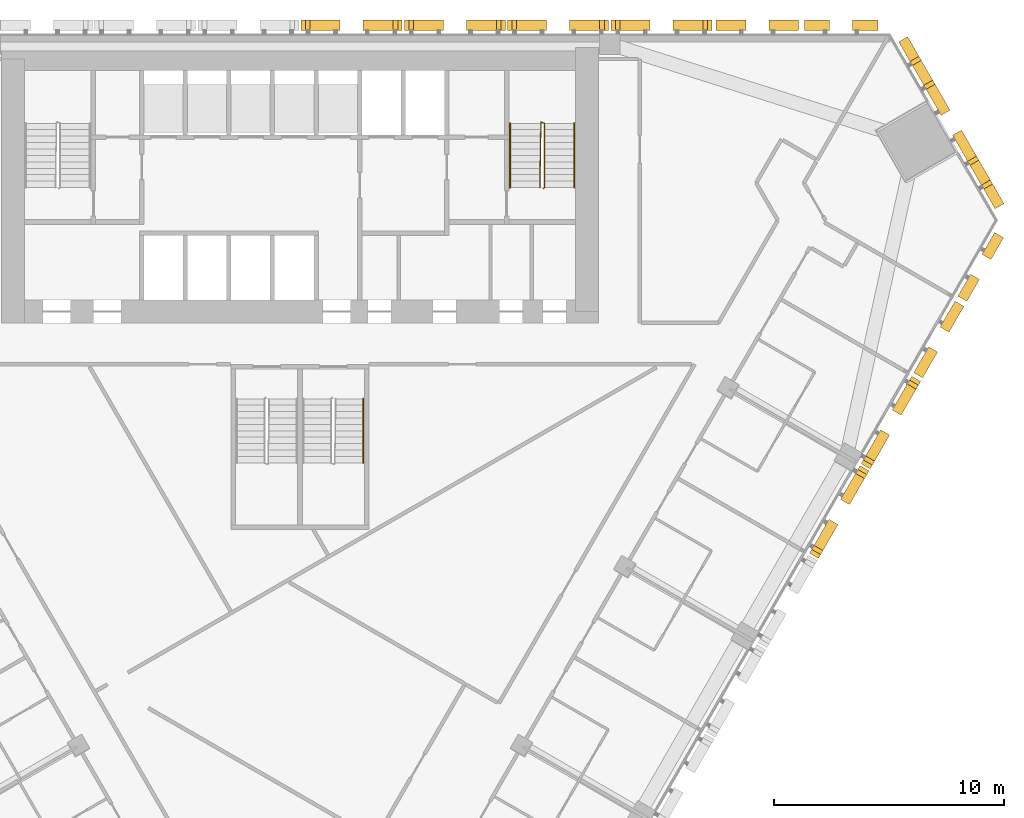
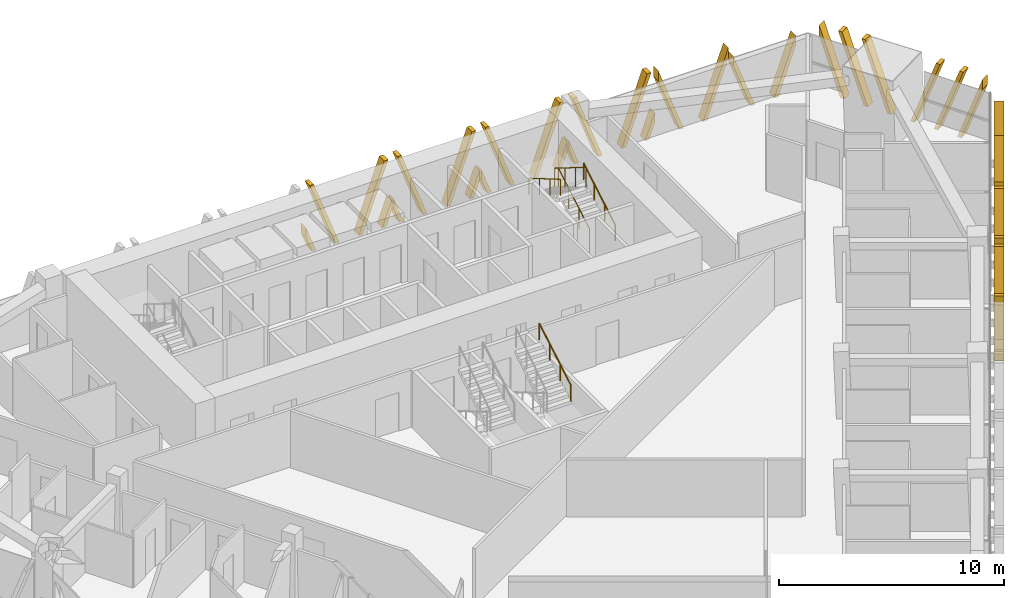
# One storey, part 16 of 17: 11 shading devices, 4 railings.
"""IFC4 building model written with IfcOpenShell, lengths in metres."""

from ifc_helpers import new_model, si_unit, direction, frame, origin, origin_2d, place, context, subcontext, project, spatial, polyline, circle, outline, extrude, source, transform, mapped, material, type_object, element, save


model = new_model("IFC4")

# Units and contexts
model_context = context("Model", 3, precision=1e-05, world=origin(), true_north=direction((0.0, 1.0)))
body_context = subcontext(model_context, "Body", "Model", "MODEL_VIEW")
ifc_project = project(units=[si_unit("LENGTHUNIT", "METRE"), si_unit("AREAUNIT", "SQUARE_METRE"), si_unit("VOLUMEUNIT", "CUBIC_METRE"), si_unit("PLANEANGLEUNIT", "RADIAN"), si_unit("MASSUNIT", "GRAM", prefix="KILO")], contexts=[model_context])

# Site, building, storey
site_placement = place(None, origin())
site = spatial("IfcSite", under=ifc_project, at=site_placement, CompositionType="ELEMENT")
building_placement = place(site_placement, origin())
building = spatial("IfcBuilding", under=site, at=building_placement, Name="Altiplano Prism Tower", CompositionType="ELEMENT")
storey_placement = place(building_placement, frame((0.0, 0.0, 55.800048828125)))
storey = spatial("IfcBuildingStorey", under=building, at=storey_placement, Name="L13", CompositionType="ELEMENT", Elevation=55.800048828125)

# Railings
ifc_material_1 = material(Name="Steel S355", Category="steel")
railing_type_1 = type_object("IfcRailingType", Name="Stair guard 1100", PredefinedType="GUARDRAIL", material=ifc_material_1)
railing_1_placement = place(storey_placement, frame((95.60009765625, 98.25, 0.0)))
element("IfcRailing", 1, at=railing_1_placement, inside=storey, type_object=railing_type_1, Name="L13 ST2 stair guard 1", PredefinedType="GUARDRAIL", context=body_context, shape_type="SweptSolid", body=[
    extrude(circle(Radius=0.02392578125, at=origin_2d()), frame((0.0, 0.0, 1.076171875), z_axis=(0.279546231943, 0.280916556609, 0.91811752648), x_axis=(-0.708833529934, 0.705375805398, 0.0)), (0.0, 0.0, 1.0), 0.17822265625),
    extrude(circle(Radius=0.02392578125, at=origin_2d()), frame((0.0498046875, 0.050048828125, 1.23974609375), z_axis=(0.0, 0.863360870873, 0.504586966384), x_axis=(-1.0, 0.0, 0.0)), (0.0, 0.0, 1.0), 3.2431640625),
    extrude(circle(Radius=0.02392578125, at=origin_2d()), frame((0.0498046875, 2.85009765625, 2.8759765625), z_axis=(-0.948991962702, 0.315300261223, 0.0), x_axis=(-0.315300261223, -0.948991962702, 0.0)), (0.0, 0.0, 1.0), 0.157958984375),
    extrude(circle(Radius=0.02392578125, at=origin_2d()), frame((-0.10009765625, 2.89990234375, 2.8759765625), z_axis=(-0.014846992469, -0.845409478506, 0.533912334065), x_axis=(0.999845825584, -0.017559187376, 0.0)), (0.0, 0.0, 1.0), 3.37109375),
    extrude(circle(Radius=0.02099609375, at=origin_2d()), origin(), (0.0, 0.0, 1.0), 1.052001953125),
    extrude(circle(Radius=0.02099609375, at=origin_2d()), frame((0.0498046875, 0.050048828125, 0.16357421875)), (0.0, 0.0, 1.0), 1.052001953125),
    extrude(circle(Radius=0.02099609375, at=origin_2d()), frame((0.0498046875, 0.9833984375, 0.708984375)), (0.0, 0.0, 1.0), 1.052001953125),
    extrude(circle(Radius=0.02099609375, at=origin_2d()), frame((0.0498046875, 1.916748046875, 1.254638671875)), (0.0, 0.0, 1.0), 1.052001953125),
    extrude(circle(Radius=0.02099609375, at=origin_2d()), frame((0.0498046875, 2.85009765625, 1.800048828125)), (0.0, 0.0, 1.0), 1.052001953125),
    extrude(circle(Radius=0.02099609375, at=origin_2d()), frame((-0.10009765625, 2.89990234375, 1.800048828125)), (0.0, 0.0, 1.0), 1.052001953125),
    extrude(circle(Radius=0.02099609375, at=origin_2d()), frame((-0.11669921875, 1.949951171875, 2.39990234375)), (0.0, 0.0, 1.0), 1.052001953125),
    extrude(circle(Radius=0.02099609375, at=origin_2d()), frame((-0.133544921875, 1.0, 3.0)), (0.0, 0.0, 1.0), 1.052001953125),
    extrude(circle(Radius=0.02099609375, at=origin_2d()), frame((-0.150146484375, 0.050048828125, 3.599853515625)), (0.0, 0.0, 1.0), 1.052001953125),
])
railing_type_2 = type_object("IfcRailingType", Name="Stair handrail 900", PredefinedType="HANDRAIL", material=ifc_material_1)
railing_2_placement = place(storey_placement, frame((96.949951171875, 98.300048828125, 0.16357421875)))
element("IfcRailing", 2, at=railing_2_placement, inside=storey, type_object=railing_type_2, Name="L13 ST2 stair handrail 1", PredefinedType="HANDRAIL", context=body_context, shape_type="SweptSolid", body=[
    extrude(circle(Radius=0.02392578125, at=origin_2d()), frame((0.0, 0.0, 0.8759765625), z_axis=(0.0, 0.863360870873, 0.504586966384), x_axis=(-1.0, 0.0, 0.0)), (0.0, 0.0, 1.0), 3.2431640625),
    extrude(circle(Radius=0.02099609375, at=origin_2d()), origin(), (0.0, 0.0, 1.0), 0.851806640625),
    extrude(circle(Radius=0.02099609375, at=origin_2d()), frame((0.0, 0.933349609375, 0.54541015625)), (0.0, 0.0, 1.0), 0.851806640625),
    extrude(circle(Radius=0.02099609375, at=origin_2d()), frame((0.0, 1.86669921875, 1.091064453125)), (0.0, 0.0, 1.0), 0.851806640625),
    extrude(circle(Radius=0.02099609375, at=origin_2d()), frame((0.0, 2.800048828125, 1.636474609375)), (0.0, 0.0, 1.0), 0.851806640625),
])
railing_3_placement = place(storey_placement, frame((94.14990234375, 101.10009765625, 1.963623046875)))
element("IfcRailing", 3, at=railing_3_placement, inside=storey, type_object=railing_type_2, Name="L13 ST2 stair handrail 2", PredefinedType="HANDRAIL", context=body_context, shape_type="SweptSolid", body=[
    extrude(circle(Radius=0.02392578125, at=origin_2d()), frame((0.0, 0.0, 0.8759765625), z_axis=(0.0, -0.863393664356, 0.504530851732), x_axis=(1.0, 0.0, 0.0)), (0.0, 0.0, 1.0), 3.2431640625),
    extrude(circle(Radius=0.02099609375, at=origin_2d()), origin(), (0.0, 0.0, 1.0), 0.851806640625),
    extrude(circle(Radius=0.02099609375, at=origin_2d()), frame((0.0, -0.933349609375, 0.54541015625)), (0.0, 0.0, 1.0), 0.851806640625),
    extrude(circle(Radius=0.02099609375, at=origin_2d()), frame((0.0, -1.86669921875, 1.0908203125)), (0.0, 0.0, 1.0), 0.851806640625),
    extrude(circle(Radius=0.02099609375, at=origin_2d()), frame((0.0, -2.800048828125, 1.63623046875)), (0.0, 0.0, 1.0), 0.851806640625),
])
railing_4_placement = place(storey_placement, frame((87.75, 86.300048828125, 1.963623046875)))
element("IfcRailing", 4, at=railing_4_placement, inside=storey, type_object=railing_type_2, Name="L13 ST3B stair handrail 2", PredefinedType="HANDRAIL", context=body_context, shape_type="SweptSolid", body=[
    extrude(circle(Radius=0.02392578125, at=origin_2d()), frame((0.0, 0.0, 0.8759765625), z_axis=(0.0, 0.863393664356, 0.504530851732), x_axis=(-1.0, 0.0, 0.0)), (0.0, 0.0, 1.0), 3.2431640625),
    extrude(circle(Radius=0.02099609375, at=origin_2d()), origin(), (0.0, 0.0, 1.0), 0.851806640625),
    extrude(circle(Radius=0.02099609375, at=origin_2d()), frame((0.0, 0.933349609375, 0.54541015625)), (0.0, 0.0, 1.0), 0.851806640625),
    extrude(circle(Radius=0.02099609375, at=origin_2d()), frame((0.0, 1.86669921875, 1.0908203125)), (0.0, 0.0, 1.0), 0.851806640625),
    extrude(circle(Radius=0.02099609375, at=origin_2d()), frame((0.0, 2.800048828125, 1.63623046875)), (0.0, 0.0, 1.0), 0.851806640625),
])

# Shading devices
ifc_material_2 = material(Name="Warm limestone cast stone", Category="masonry")
shading_device_type_1 = type_object("IfcShadingDeviceType", Name="Stone fin panel, narrow closing bay", PredefinedType="USERDEFINED", material=ifc_material_2)
shared_shape_1 = source(origin(), body_context, "Body", "SweptSolid", [
    extrude(outline(polyline([(-1.60009765625, 3.022216796875), (-1.60009765625, 2.47265625), (-0.699951171875, 0.0), (-0.5, 0.0), (-1.60009765625, 3.022216796875)])), frame((0.0, -0.14990234375, 0.0), z_axis=(0.0, -1.0, 0.0), x_axis=(1.0, 0.0, 0.0)), (0.0, 0.0, 1.0), 0.4501953125),
    extrude(outline(polyline([(1.60009765625, 2.47265625), (1.60009765625, 3.022216796875), (0.5, 0.0), (0.699951171875, 0.0), (1.60009765625, 2.47265625)])), frame((0.0, -0.14990234375, 0.0), z_axis=(0.0, -1.0, 0.0), x_axis=(1.0, 0.0, 0.0)), (0.0, 0.0, 1.0), 0.4501953125),
])
shading_device_1_placement = place(storey_placement, origin())
element("IfcShadingDevice", 5, at=shading_device_1_placement, inside=storey, type_object=shading_device_type_1, Name="Fin L13 north face 1", ObjectType="FIN", PredefinedType="USERDEFINED", context=body_context, shape_type="MappedRepresentation", body=[
    mapped(shared_shape_1, transform((108.581787109375, 105.0, -0.5), x_axis=(-1.0, 0.0, 0.0), y_axis=(0.0, -1.0, 0.0), z_axis=(0.0, 0.0, 1.0))),
])
shading_device_2_placement = place(storey_placement, origin())
element("IfcShadingDevice", 6, at=shading_device_2_placement, inside=storey, type_object=shading_device_type_1, Name="Fin L13 south-east face 12", ObjectType="FIN", PredefinedType="USERDEFINED", context=body_context, shape_type="MappedRepresentation", body=[
    mapped(shared_shape_1, transform((114.33740234375, 95.03076171875, -0.5), x_axis=(0.499999992175, 0.866025408302, 0.0), y_axis=(-0.866025408302, 0.499999992175, 0.0), z_axis=(0.0, 0.0, 1.0))),
])
shading_device_type_2 = type_object("IfcShadingDeviceType", Name="Stone fin panel, standard unit", PredefinedType="USERDEFINED", material=ifc_material_2)
shared_shape_2 = source(origin(), body_context, "Body", "SweptSolid", [
    extrude(outline(polyline([(-2.199951171875, 1.373779296875), (-2.199951171875, 0.82421875), (-1.89990234375, 0.0), (-1.699951171875, 0.0), (-2.199951171875, 1.373779296875)])), frame((0.0, -0.14990234375, 0.0), z_axis=(0.0, -1.0, 0.0), x_axis=(1.0, 0.0, 0.0)), (0.0, 0.0, 1.0), 0.4501953125),
    extrude(outline(polyline([(-2.01025390625, 3.60009765625), (-0.699951171875, 0.0), (-0.5, 0.0), (-1.810302734375, 3.60009765625), (-2.01025390625, 3.60009765625)])), frame((0.0, -0.14990234375, 0.0), z_axis=(0.0, -1.0, 0.0), x_axis=(1.0, 0.0, 0.0)), (0.0, 0.0, 1.0), 0.4501953125),
    extrude(outline(polyline([(1.810302734375, 3.60009765625), (0.5, 0.0), (0.699951171875, 0.0), (2.01025390625, 3.60009765625), (1.810302734375, 3.60009765625)])), frame((0.0, -0.14990234375, 0.0), z_axis=(0.0, -1.0, 0.0), x_axis=(1.0, 0.0, 0.0)), (0.0, 0.0, 1.0), 0.4501953125),
    extrude(outline(polyline([(2.199951171875, 0.82421875), (2.199951171875, 1.373779296875), (1.699951171875, 0.0), (1.89990234375, 0.0), (2.199951171875, 0.82421875)])), frame((0.0, -0.14990234375, 0.0), z_axis=(0.0, -1.0, 0.0), x_axis=(1.0, 0.0, 0.0)), (0.0, 0.0, 1.0), 0.4501953125),
])
shading_device_3_placement = place(storey_placement, origin())
element("IfcShadingDevice", 7, at=shading_device_3_placement, inside=storey, type_object=shading_device_type_2, Name="Fin L13 north face 3", ObjectType="FIN", PredefinedType="USERDEFINED", context=body_context, shape_type="MappedRepresentation", body=[
    mapped(shared_shape_2, transform((100.75, 105.0, -0.5), x_axis=(-1.0, 0.0, 0.0), y_axis=(0.0, -1.0, 0.0), z_axis=(0.0, 0.0, 1.0))),
])
shading_device_4_placement = place(storey_placement, origin())
element("IfcShadingDevice", 8, at=shading_device_4_placement, inside=storey, type_object=shading_device_type_2, Name="Fin L13 north face 4", ObjectType="FIN", PredefinedType="USERDEFINED", context=body_context, shape_type="MappedRepresentation", body=[
    mapped(shared_shape_2, transform((96.25, 105.0, -0.5), x_axis=(-1.0, 0.0, 0.0), y_axis=(0.0, -1.0, 0.0), z_axis=(0.0, 0.0, 1.0))),
])
shading_device_5_placement = place(storey_placement, origin())
element("IfcShadingDevice", 9, at=shading_device_5_placement, inside=storey, type_object=shading_device_type_2, Name="Fin L13 north face 5", ObjectType="FIN", PredefinedType="USERDEFINED", context=body_context, shape_type="MappedRepresentation", body=[
    mapped(shared_shape_2, transform((91.75, 105.0, -0.5), x_axis=(-1.0, 0.0, 0.0), y_axis=(0.0, -1.0, 0.0), z_axis=(0.0, 0.0, 1.0))),
])
shading_device_6_placement = place(storey_placement, origin())
element("IfcShadingDevice", 10, at=shading_device_6_placement, inside=storey, type_object=shading_device_type_2, Name="Fin L13 north face 6", ObjectType="FIN", PredefinedType="USERDEFINED", context=body_context, shape_type="MappedRepresentation", body=[
    mapped(shared_shape_2, transform((87.25, 105.0, -0.5), x_axis=(-1.0, 0.0, 0.0), y_axis=(0.0, -1.0, 0.0), z_axis=(0.0, 0.0, 1.0))),
])
shading_device_7_placement = place(storey_placement, origin())
element("IfcShadingDevice", 11, at=shading_device_7_placement, inside=storey, type_object=shading_device_type_2, Name="Fin L13 south-east face 9", ObjectType="FIN", PredefinedType="USERDEFINED", context=body_context, shape_type="MappedRepresentation", body=[
    mapped(shared_shape_2, transform((108.171630859375, 84.35107421875, -0.5), x_axis=(0.499999992175, 0.866025408302, 0.0), y_axis=(-0.866025408302, 0.499999992175, 0.0), z_axis=(0.0, 0.0, 1.0))),
])
shading_device_8_placement = place(storey_placement, origin())
element("IfcShadingDevice", 12, at=shading_device_8_placement, inside=storey, type_object=shading_device_type_2, Name="Fin L13 south-east face 10", ObjectType="FIN", PredefinedType="USERDEFINED", context=body_context, shape_type="MappedRepresentation", body=[
    mapped(shared_shape_2, transform((110.421630859375, 88.248291015625, -0.5), x_axis=(0.499999992175, 0.866025408302, 0.0), y_axis=(-0.866025408302, 0.499999992175, 0.0), z_axis=(0.0, 0.0, 1.0))),
])
shared_shape_3 = source(origin(), body_context, "Body", "SweptSolid", [
    extrude(outline(polyline([(-1.800048828125, 3.57177734375), (-1.800048828125, 3.022216796875), (-0.699951171875, 0.0), (-0.5, 0.0), (-1.800048828125, 3.57177734375)])), frame((0.0, -0.14990234375, 0.0), z_axis=(0.0, -1.0, 0.0), x_axis=(1.0, 0.0, 0.0)), (0.0, 0.0, 1.0), 0.4501953125),
    extrude(outline(polyline([(1.800048828125, 3.022216796875), (1.800048828125, 3.57177734375), (0.5, 0.0), (0.699951171875, 0.0), (1.800048828125, 3.022216796875)])), frame((0.0, -0.14990234375, 0.0), z_axis=(0.0, -1.0, 0.0), x_axis=(1.0, 0.0, 0.0)), (0.0, 0.0, 1.0), 0.4501953125),
])
shading_device_9_placement = place(storey_placement, origin())
element("IfcShadingDevice", 13, at=shading_device_9_placement, inside=storey, type_object=shading_device_type_1, Name="Fin L13 north face 2", ObjectType="FIN", PredefinedType="USERDEFINED", context=body_context, shape_type="MappedRepresentation", body=[
    mapped(shared_shape_3, transform((104.92724609375, 105.0, -0.5), x_axis=(-1.0, 0.0, 0.0), y_axis=(0.0, -1.0, 0.0), z_axis=(0.0, 0.0, 1.0))),
])
shading_device_10_placement = place(storey_placement, origin())
element("IfcShadingDevice", 14, at=shading_device_10_placement, inside=storey, type_object=shading_device_type_1, Name="Fin L13 south-east face 11", ObjectType="FIN", PredefinedType="USERDEFINED", context=body_context, shape_type="MappedRepresentation", body=[
    mapped(shared_shape_3, transform((112.51025390625, 91.865966796875, -0.5), x_axis=(0.499999992175, 0.866025408302, 0.0), y_axis=(-0.866025408302, 0.499999992175, 0.0), z_axis=(0.0, 0.0, 1.0))),
])
shading_device_type_3 = type_object("IfcShadingDeviceType", Name="Stone fin panel, chamfer unit", PredefinedType="USERDEFINED", material=ifc_material_2)
shared_shape_4 = source(origin(), body_context, "Body", "SweptSolid", [
    extrude(outline(polyline([(-4.199951171875, 3.57177734375), (-4.199951171875, 3.022216796875), (-3.10009765625, 0.0), (-2.89990234375, 0.0), (-4.199951171875, 3.57177734375)])), frame((0.0, -0.14990234375, 0.0), z_axis=(0.0, -1.0, 0.0), x_axis=(1.0, 0.0, 0.0)), (0.0, 0.0, 1.0), 0.4501953125),
    extrude(outline(polyline([(-3.210205078125, 3.60009765625), (-1.89990234375, 0.0), (-1.699951171875, 0.0), (-3.01025390625, 3.60009765625), (-3.210205078125, 3.60009765625)])), frame((0.0, -0.14990234375, 0.0), z_axis=(0.0, -1.0, 0.0), x_axis=(1.0, 0.0, 0.0)), (0.0, 0.0, 1.0), 0.4501953125),
    extrude(outline(polyline([(-2.01025390625, 3.60009765625), (-0.699951171875, 0.0), (-0.5, 0.0), (-1.810302734375, 3.60009765625), (-2.01025390625, 3.60009765625)])), frame((0.0, -0.14990234375, 0.0), z_axis=(0.0, -1.0, 0.0), x_axis=(1.0, 0.0, 0.0)), (0.0, 0.0, 1.0), 0.4501953125),
    extrude(outline(polyline([(1.810302734375, 3.60009765625), (0.5, 0.0), (0.699951171875, 0.0), (2.01025390625, 3.60009765625), (1.810302734375, 3.60009765625)])), frame((0.0, -0.14990234375, 0.0), z_axis=(0.0, -1.0, 0.0), x_axis=(1.0, 0.0, 0.0)), (0.0, 0.0, 1.0), 0.4501953125),
    extrude(outline(polyline([(3.01025390625, 3.60009765625), (1.699951171875, 0.0), (1.89990234375, 0.0), (3.210205078125, 3.60009765625), (3.01025390625, 3.60009765625)])), frame((0.0, -0.14990234375, 0.0), z_axis=(0.0, -1.0, 0.0), x_axis=(1.0, 0.0, 0.0)), (0.0, 0.0, 1.0), 0.4501953125),
    extrude(outline(polyline([(4.199951171875, 3.022216796875), (4.199951171875, 3.57177734375), (2.89990234375, 0.0), (3.10009765625, 0.0), (4.199951171875, 3.022216796875)])), frame((0.0, -0.14990234375, 0.0), z_axis=(0.0, -1.0, 0.0), x_axis=(1.0, 0.0, 0.0)), (0.0, 0.0, 1.0), 0.4501953125),
])
shading_device_11_placement = place(storey_placement, origin())
element("IfcShadingDevice", 15, at=shading_device_11_placement, inside=storey, type_object=shading_device_type_3, Name="Fin L13 north-east chamfer 1", ObjectType="FIN", PredefinedType="USERDEFINED", context=body_context, shape_type="MappedRepresentation", body=[
    mapped(shared_shape_4, transform((113.054931640625, 100.9365234375, -0.5), x_axis=(-0.500000056946, 0.866025370907, 0.0), y_axis=(-0.866025370907, -0.500000056946, 0.0), z_axis=(0.0, 0.0, 1.0))),
])

save(model, "model.ifc")
